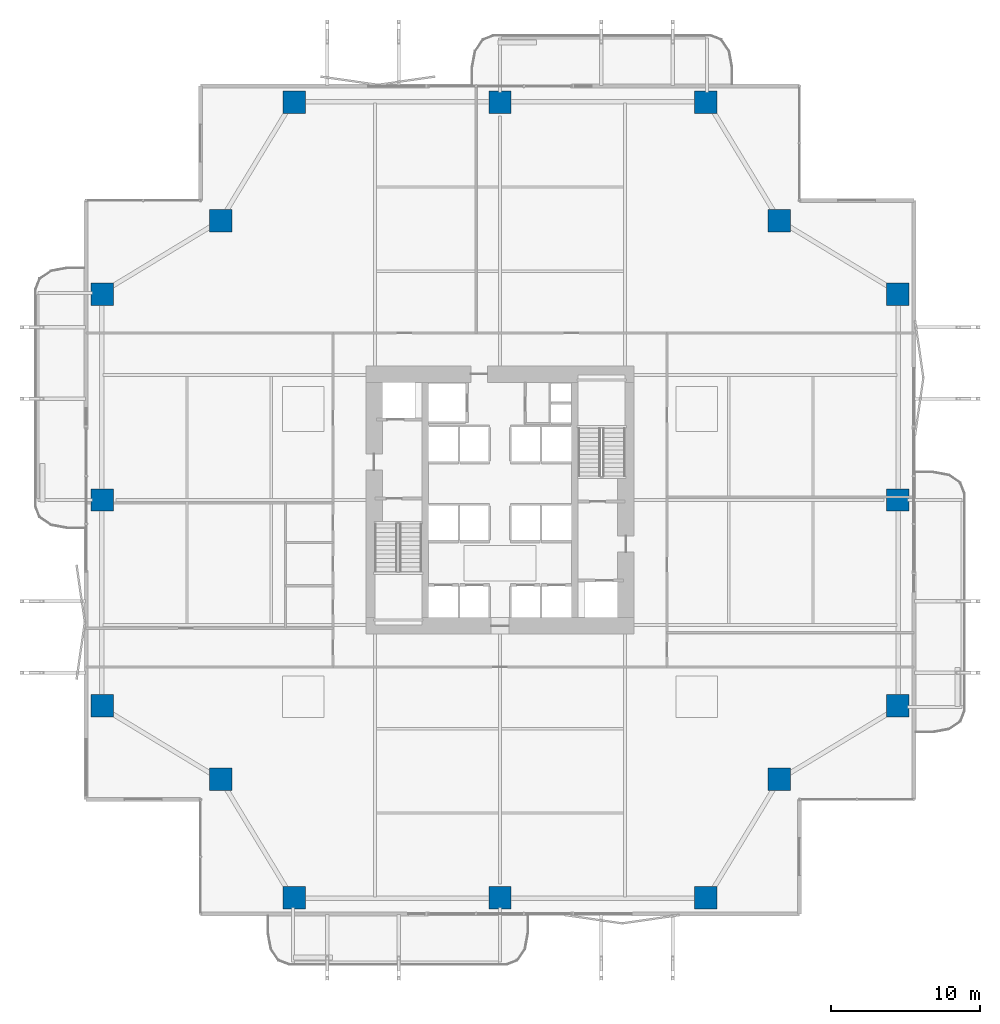
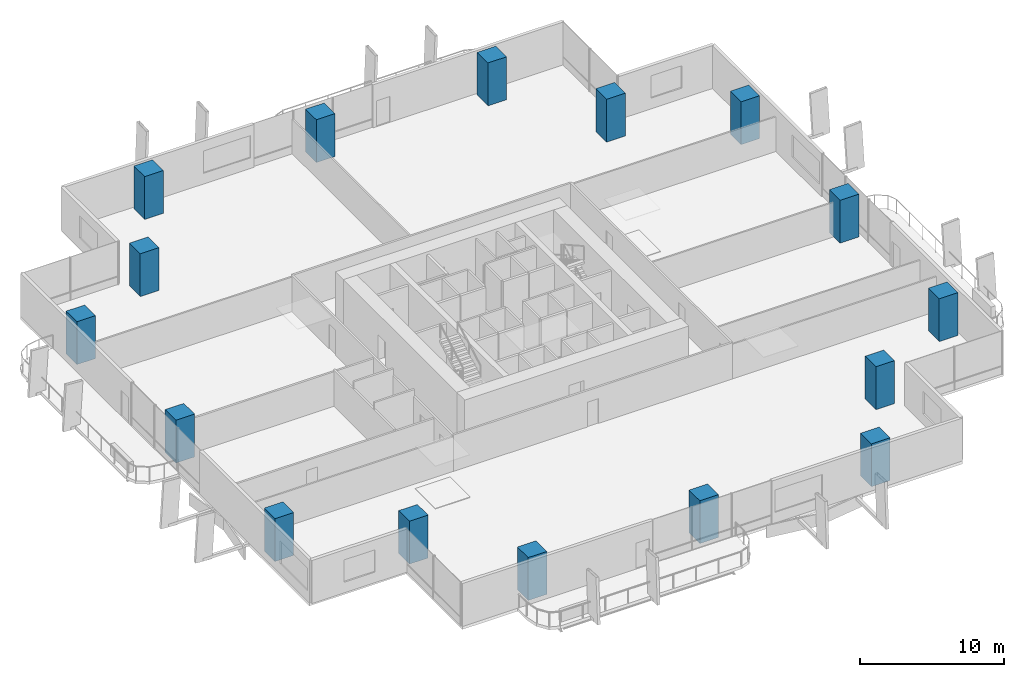
# One storey, part 1 of 30: 16 columns.
"""IFC4 building model written with IfcOpenShell, lengths in metres."""

from ifc_helpers import new_model, si_unit, direction, frame, origin, origin_2d, place, context, subcontext, project, spatial, rectangle, extrude, material, material_profile, profile_set, type_object, element, save


model = new_model("IFC4")

# Units and contexts
model_context = context("Model", 3, precision=1e-05, world=origin(), true_north=direction((0.0, 1.0)))
body_context = subcontext(model_context, "Body", "Model", "MODEL_VIEW")
ifc_project = project(units=[si_unit("LENGTHUNIT", "METRE"), si_unit("AREAUNIT", "SQUARE_METRE"), si_unit("VOLUMEUNIT", "CUBIC_METRE"), si_unit("PLANEANGLEUNIT", "RADIAN"), si_unit("MASSUNIT", "GRAM", prefix="KILO")], contexts=[model_context])

# Site, building, storey
site_placement = place(None, origin())
site = spatial("IfcSite", under=ifc_project, at=site_placement, CompositionType="ELEMENT")
building_placement = place(site_placement, origin())
building = spatial("IfcBuilding", under=site, at=building_placement, Name="Belovzor Exchange Tower", CompositionType="ELEMENT")
storey_placement = place(building_placement, frame((0.0, 0.0, 30.0)))
storey = spatial("IfcBuildingStorey", under=building, at=storey_placement, Name="L06", CompositionType="ELEMENT", Elevation=30.0)

# Columns
ifc_material = material(Name="Concrete C60/75", Category="concrete")
ifc_material_profile = material_profile(ifc_material, rectangle(XDim=1.5, YDim=1.5, at=origin_2d()))
ifc_profile_set = profile_set([ifc_material_profile], Name="Concrete C60/75")
column_type = type_object("IfcColumnType", Name="Reinforced Concrete Tower Column 1500x1500", PredefinedType="COLUMN", material=ifc_profile_set)
for number, where, z_axis, x_axis, name in (
    (1, (15.0, 2.10009765625, 0.0029296875), (0.0, 0.0, 1.0), (1.0, 0.0, 0.0), "COL-T150 Reinforced Concrete Tower Column 1500x1500"),
    (2, (28.800048828125, 2.10009765625, 0.0029296875), (0.0, 0.0, 1.0), (1.0, 0.0, 0.0), "COL-T150 Reinforced Concrete Tower Column 1500x1500"),
    (3, (42.60009765625, 2.10009765625, 0.0029296875), (0.0, 0.0, 1.0), (1.0, 0.0, 0.0), "COL-T150 Reinforced Concrete Tower Column 1500x1500"),
    (4, (55.5, 15.0, 0.0029296875), (0.0, 0.0, 1.0), (1.0, 0.0, 0.0), "COL-T150 Reinforced Concrete Tower Column 1500x1500"),
    (5, (55.5, 28.800048828125, 0.0029296875), (0.0, 0.0, 1.0), (1.0, 0.0, 0.0), "COL-T150 Reinforced Concrete Tower Column 1500x1500"),
    (6, (55.5, 42.60009765625, 0.0029296875), (0.0, 0.0, 1.0), (1.0, 0.0, 0.0), "COL-T150 Reinforced Concrete Tower Column 1500x1500"),
    (7, (42.60009765625, 55.5, 0.0029296875), (0.0, 0.0, 1.0), (1.0, 0.0, 0.0), "COL-T150 Reinforced Concrete Tower Column 1500x1500"),
    (8, (28.800048828125, 55.5, 0.0029296875), (0.0, 0.0, 1.0), (1.0, 0.0, 0.0), "COL-T150 Reinforced Concrete Tower Column 1500x1500"),
    (9, (15.0, 55.5, 0.0029296875), (0.0, 0.0, 1.0), (1.0, 0.0, 0.0), "COL-T150 Reinforced Concrete Tower Column 1500x1500"),
    (10, (2.10009765625, 42.60009765625, 0.0029296875), (0.0, 0.0, 1.0), (1.0, 0.0, 0.0), "COL-T150 Reinforced Concrete Tower Column 1500x1500"),
    (11, (2.10009765625, 28.800048828125, 0.0029296875), (0.0, 0.0, 1.0), (1.0, 0.0, 0.0), "COL-T150 Reinforced Concrete Tower Column 1500x1500"),
    (12, (2.10009765625, 15.0, 0.0029296875), (0.0, 0.0, 1.0), (1.0, 0.0, 0.0), "COL-T150 Reinforced Concrete Tower Column 1500x1500"),
    (13, (10.050048828125, 10.050048828125, 0.0029296875), (0.0, 0.0, 1.0), (1.0, 0.0, 0.0), "COL-T150 Reinforced Concrete Tower Column 1500x1500"),
    (14, (47.550048828125, 10.050048828125, 0.0029296875), (0.0, 0.0, 1.0), (1.0, 0.0, 0.0), "COL-T150 Reinforced Concrete Tower Column 1500x1500"),
    (15, (47.550048828125, 47.550048828125, 0.0029296875), (0.0, 0.0, 1.0), (1.0, 0.0, 0.0), "COL-T150 Reinforced Concrete Tower Column 1500x1500"),
    (16, (10.050048828125, 47.550048828125, 0.0029296875), (0.0, 0.0, 1.0), (1.0, 0.0, 0.0), "COL-T150 Reinforced Concrete Tower Column 1500x1500"),
):
    element("IfcColumn", number, at=place(storey_placement, frame(where, z_axis=z_axis, x_axis=x_axis)), inside=storey, type_object=column_type, Name=name, PredefinedType="COLUMN", context=body_context, shape_type="SweptSolid", body=[
        extrude(rectangle(XDim=1.5, YDim=1.5, at=origin_2d()), origin(), (0.0, 0.0, 1.0), 3.64404296875),
    ])

save(model, "model.ifc")
